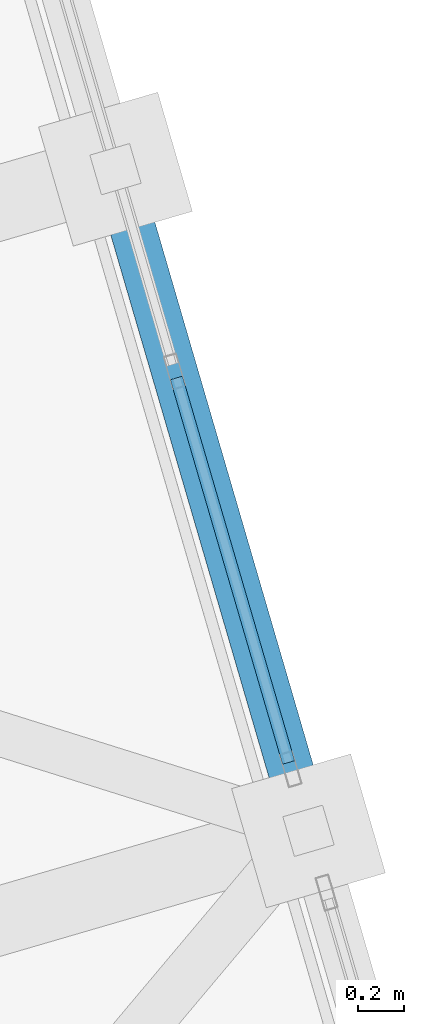
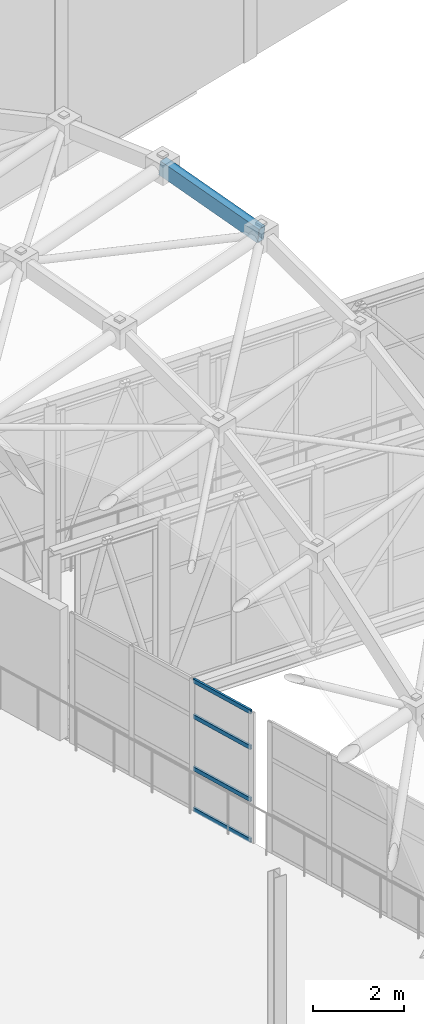
# One storey, part 85 of 248: 4 members, 1 beam, 1 element without a shape of its own.
"""IFC4 building model written with IfcOpenShell, lengths in metres."""

import ifcopenshell
import ifcopenshell.guid

model = None  # the IFC model being written
_history = None  # IfcOwnerHistory: only IFC2X3 demands one
_inside = {}  # id of a spatial element -> (the spatial element, [elements in it])
_under = {}  # id of a project, library or spatial element -> (it, [spatial elements below it])
_declared = {}  # id of a project -> (the project, [libraries it declares])
_typed = {}  # id of a type object -> (the type object, [elements of that type])
_made_of = {}  # id of a material, layer set ... -> (it, [elements and type objects made of it])


def new_model(schema):
    """Start an empty IFC model of exactly this schema.

    Asked for "IFC4X3", IfcOpenShell would pick the latest addendum, in which some entities
    have other attributes; the version numbers below select the first issue.
    IFC2X3 requires an IfcOwnerHistory on every rooted entity: one is made here for all.
    """
    global model, _history
    if schema == "IFC4X3":
        model = ifcopenshell.file(schema_version=(4, 3, 0, 0))
    else:
        model = ifcopenshell.file(schema=schema)
    _inside.clear()
    _under.clear()
    _declared.clear()
    _typed.clear()
    _made_of.clear()
    _history = None
    if model.schema == "IFC2X3":
        org = make("IfcOrganization", Name="unknown")
        user = make(
            "IfcPersonAndOrganization",
            ThePerson=make("IfcPerson", FamilyName="unknown"),
            TheOrganization=org,
        )
        app = make(
            "IfcApplication",
            ApplicationDeveloper=org,
            Version="unknown",
            ApplicationFullName="unknown",
            ApplicationIdentifier="unknown",
        )
        _history = make(
            "IfcOwnerHistory",
            OwningUser=user,
            OwningApplication=app,
            ChangeAction="ADDED",
            CreationDate=0,
        )
    return model


def make(cls, **values):
    """One entity of the class cls with the attributes given. An attribute that is None is left unset."""
    return model.create_entity(
        cls, **{name: value for name, value in values.items() if value is not None}
    )


def rooted(cls, **values):
    """An entity with a GlobalId (a new one), such as an element, a storey or a relation."""
    return make(cls, GlobalId=ifcopenshell.guid.new(), OwnerHistory=_history, **values)


def si_unit(unit_type, name, prefix=None):
    """IfcSIUnit, for example si_unit("LENGTHUNIT", "METRE", prefix="MILLI")."""
    return make("IfcSIUnit", UnitType=unit_type, Prefix=prefix, Name=name)


def assignment(units):
    """IfcUnitAssignment: the units of a project."""
    return None if units is None else make("IfcUnitAssignment", Units=units)


def point(xyz):
    """IfcCartesianPoint."""
    return None if xyz is None else make("IfcCartesianPoint", Coordinates=xyz)


def direction(xyz):
    """IfcDirection."""
    return None if xyz is None else make("IfcDirection", DirectionRatios=xyz)


def frame(location, z_axis=None, x_axis=None):
    """IfcAxis2Placement3D, a coordinate frame: its origin and axes. An axis left out is left unset."""
    return make(
        "IfcAxis2Placement3D",
        Location=point(location),
        Axis=direction(z_axis),
        RefDirection=direction(x_axis),
    )


def frame_2d(location, x_axis=None):
    """IfcAxis2Placement2D, a coordinate frame in the plane: its origin and x axis."""
    return make(
        "IfcAxis2Placement2D", Location=point(location), RefDirection=direction(x_axis)
    )


def origin():
    """The frame at (0, 0, 0) with its axes left unset."""
    return frame((0.0, 0.0, 0.0))


def origin_2d():
    """The frame at (0, 0) in the plane with its x axis left unset."""
    return frame_2d((0.0, 0.0))


def place(relative_to, where):
    """IfcLocalPlacement: puts the frame where relative to a parent placement (None: the world)."""
    return make(
        "IfcLocalPlacement", PlacementRelTo=relative_to, RelativePlacement=where
    )


def context(
    kind, dimensions, precision=None, world=None, true_north=None, identifier=None
):
    """IfcGeometricRepresentationContext, for example the 3D "Model" context."""
    return make(
        "IfcGeometricRepresentationContext",
        ContextIdentifier=identifier,
        ContextType=kind,
        CoordinateSpaceDimension=dimensions,
        Precision=precision,
        WorldCoordinateSystem=world,
        TrueNorth=true_north,
    )


def subcontext(parent, identifier, kind, view, scale=None):
    """IfcGeometricRepresentationSubContext, for example "Body" below "Model"."""
    return make(
        "IfcGeometricRepresentationSubContext",
        ContextIdentifier=identifier,
        ContextType=kind,
        ParentContext=parent,
        TargetScale=scale,
        TargetView=view,
    )


def project(units=None, contexts=None):
    """IfcProject with its units and contexts."""
    return rooted(
        "IfcProject",
        Name="project",
        RepresentationContexts=contexts,
        UnitsInContext=assignment(units),
    )


def spatial(cls, under=None, at=None, **own):
    """A site, building, storey or space (cls), placed at a placement, below another one or the project."""
    s = rooted(cls, ObjectPlacement=at, **own)
    if under is not None:
        _under.setdefault(under.id(), (under, []))[1].append(s)
    return s


def profile(cls, at=None, kind="AREA", **sizes):
    """A parametric profile (cls). Its sizes go by their IFC names, for example OverallWidth=200.0."""
    return make(cls, ProfileType=kind, Position=at, **sizes)


def hollow_rectangle(**sizes):
    """IfcRectangleHollowProfileDef."""
    return profile("IfcRectangleHollowProfileDef", **sizes)


def extrude(swept, where, along, depth):
    """IfcExtrudedAreaSolid: the profile swept, set in the frame where, extruded along a direction by depth."""
    return make(
        "IfcExtrudedAreaSolid",
        SweptArea=swept,
        Position=where,
        ExtrudedDirection=direction(along),
        Depth=depth,
    )


def shape(context_of_items, identifier, shape_type, items):
    """IfcShapeRepresentation: the items that make up one representation, for example the "Body"."""
    return make(
        "IfcShapeRepresentation",
        ContextOfItems=context_of_items,
        RepresentationIdentifier=identifier,
        RepresentationType=shape_type,
        Items=items,
    )


def material(Name=None, Category=None):
    """IfcMaterial."""
    return make("IfcMaterial", Name=Name, Category=Category)


def layer(
    of_material, thickness, ventilated=None, Name=None, Category=None, Priority=None
):
    """IfcMaterialLayer: one layer of a wall or slab, of a material (None: an air gap)."""
    return make(
        "IfcMaterialLayer",
        Material=of_material,
        LayerThickness=thickness,
        IsVentilated=ventilated,
        Name=Name,
        Category=Category,
        Priority=Priority,
    )


def layer_set(layers, Name=None):
    """IfcMaterialLayerSet."""
    return make("IfcMaterialLayerSet", MaterialLayers=layers, LayerSetName=Name)


def material_profile(
    of_material, cross_section, Name=None, Category=None, Priority=None
):
    """IfcMaterialProfile: a cross section and its material."""
    return make(
        "IfcMaterialProfile",
        Name=Name,
        Material=of_material,
        Profile=cross_section,
        Priority=Priority,
        Category=Category,
    )


def profile_set(profiles, Name=None, composite=None):
    """IfcMaterialProfileSet."""
    return make(
        "IfcMaterialProfileSet",
        Name=Name,
        MaterialProfiles=profiles,
        CompositeProfile=composite,
    )


def made_of(thing, what):
    """Note that an element or type object is made of a material, layer set ...; save() writes the relation."""
    if what is not None:
        _made_of.setdefault(what.id(), (what, []))[1].append(thing)
    return thing


def type_object(cls, material=None, **own):
    """A type object (cls), such as IfcWallType, which elements share."""
    return made_of(rooted(cls, **own), material)


def element(
    cls,
    number,
    at=None,
    inside=None,
    cuts=None,
    type_object=None,
    material=None,
    context=None,
    identifier="Body",
    shape_type=None,
    held_by="IfcProductDefinitionShape",
    body=None,
    shapes=None,
    **own,
):
    """One element of the class cls, such as IfcWall. Its Tag is "e" and its number.

    at: its placement. inside: the storey or other place that contains it. cuts: it is an
    opening in that element (IfcRelVoidsElement). A single representation is given by context,
    identifier, shape_type and body (its items); several are given by shapes. held_by: the class
    of the entity that holds the representations. save() writes the other relations.
    """
    e = rooted(cls, Tag="e%d" % number, ObjectPlacement=at, **own)
    if body is not None:
        shapes = [shape(context, identifier, shape_type, body)]
    if shapes is not None:
        e.Representation = make(held_by, Representations=shapes)
    if inside is not None:
        _inside.setdefault(inside.id(), (inside, []))[1].append(e)
    if cuts is not None:
        rooted(
            "IfcRelVoidsElement", RelatingBuildingElement=cuts, RelatedOpeningElement=e
        )
    if type_object is not None:
        _typed.setdefault(type_object.id(), (type_object, []))[1].append(e)
    return made_of(e, material)


def aggregate(whole, parts):
    """IfcRelAggregates: a whole, such as a stair, and the parts it consists of."""
    return rooted("IfcRelAggregates", RelatingObject=whole, RelatedObjects=parts)


def save(model, path):
    """Write the relations noted so far, then the file.

    IfcRelAggregates (storeys below a building ...), IfcRelContainedInSpatialStructure (elements
    in a storey), IfcRelDefinesByType, IfcRelAssociatesMaterial and IfcRelDeclares: one each for
    every whole, place, type object, material and project.
    """
    for whole, parts in _under.values():
        aggregate(whole, parts)
    for where, things in _inside.values():
        rooted(
            "IfcRelContainedInSpatialStructure",
            RelatedElements=things,
            RelatingStructure=where,
        )
    for kind, things in _typed.values():
        rooted("IfcRelDefinesByType", RelatedObjects=things, RelatingType=kind)
    for what, things in _made_of.values():
        rooted("IfcRelAssociatesMaterial", RelatedObjects=things, RelatingMaterial=what)
    for by, libraries in _declared.values():
        rooted("IfcRelDeclares", RelatingContext=by, RelatedDefinitions=libraries)
    model.write(path)


model = new_model("IFC4")

# Units and contexts
model_context = context("Model", 3, precision=1e-05, world=origin(), true_north=direction((0.0, 1.0)))
body_context = subcontext(model_context, "Body", "Model", "MODEL_VIEW")
ifc_project = project(units=[si_unit("LENGTHUNIT", "METRE"), si_unit("AREAUNIT", "SQUARE_METRE"), si_unit("VOLUMEUNIT", "CUBIC_METRE"), si_unit("PLANEANGLEUNIT", "RADIAN"), si_unit("MASSUNIT", "GRAM", prefix="KILO")], contexts=[model_context])

# Site, building, storey
site_placement = place(None, origin())
site = spatial("IfcSite", under=ifc_project, at=site_placement, CompositionType="ELEMENT")
building_placement = place(site_placement, origin())
building = spatial("IfcBuilding", under=site, at=building_placement, Name="Canggui Botanical Conservatory", CompositionType="ELEMENT")
storey_placement = place(building_placement, frame((0.0, 0.0, 5.39990234375)))
storey = spatial("IfcBuildingStorey", under=building, at=storey_placement, Name="L02", CompositionType="ELEMENT", Elevation=5.39990234375)

# Beam
ifc_material_1 = material(Name="Steel Q355C", Category="steel")
ifc_material_profile_1 = material_profile(ifc_material_1, hollow_rectangle(XDim=0.199951171875, YDim=0.39990234375, WallThickness=0.011962890625, at=origin_2d()), Name="RHS 200x400x12")
ifc_profile_set_1 = profile_set([ifc_material_profile_1], Name="Steel Q355C")
beam_type = type_object("IfcBeamType", Name="BM-GJ04", PredefinedType="BEAM", material=ifc_profile_set_1)
beam_placement = place(storey_placement, frame((68.47998046875, 68.639892578125, 16.416015625), z_axis=(-0.277749375577, 0.952225917953, 0.126968836903), x_axis=(-0.959995442804, -0.2800156242, 0.0)))
element("IfcBeam", 1, at=beam_placement, inside=storey, type_object=beam_type, Name="Conservatory Stepped-Arch Rib GJ-15 Segment 5", PredefinedType="BEAM", context=body_context, shape_type="SweptSolid", body=[
    extrude(hollow_rectangle(XDim=0.199951171875, YDim=0.39990234375, WallThickness=0.011962890625, at=origin_2d()), origin(), (0.0, 0.0, 1.0), 3.024658203125),
])

# Curtain wall, members
ifc_material_2 = material(Name="Thermally Broken Aluminium", Category="aluminium")
ifc_layer = layer(ifc_material_2, 0.14990234375, Name="Thermally Broken Aluminium", Category="aluminium")
ifc_layer_set = layer_set([ifc_layer], Name="Thermally Broken Aluminium")
curtain_wall_type = type_object("IfcCurtainWallType", Name="CW-UNIT-C", PredefinedType="USERDEFINED", material=ifc_layer_set)
curtain_wall_placement = place(storey_placement, origin())
curtain_wall = element("IfcCurtainWall", 2, at=curtain_wall_placement, inside=storey, type_object=curtain_wall_type, Name="Facade Curtain Wall CW-CONS-GABLE-L02-N-03", ObjectType="UNITISED CURTAIN WALL", PredefinedType="USERDEFINED")
ifc_material_profile_2 = material_profile(ifc_material_2, hollow_rectangle(XDim=0.054931640625, YDim=0.110107421875, WallThickness=0.0029296875, at=origin_2d()), Name="CWT 55x110x3")
ifc_profile_set_2 = profile_set([ifc_material_profile_2], Name="Thermally Broken Aluminium")
member_type = type_object("IfcMemberType", Name="CWT-03", PredefinedType="USERDEFINED", material=ifc_profile_set_2)
member_1_placement = place(storey_placement, frame((68.393310546875, 68.9375, 0.027587890625), z_axis=(-0.280080662242, 0.959976469836, 0.0), x_axis=(-0.959976469836, -0.280080662242, 0.0)))
member_1 = element("IfcMember", 3, at=member_1_placement, type_object=member_type, Name="CW-03 transom 1.1", ObjectType="TRANSOM", PredefinedType="USERDEFINED", context=body_context, shape_type="SweptSolid", body=[
    extrude(hollow_rectangle(XDim=0.054931640625, YDim=0.110107421875, WallThickness=0.0029296875, at=origin_2d()), origin(), (0.0, 0.0, 1.0), 1.743408203125),
])
member_2_placement = place(storey_placement, frame((68.393310546875, 68.9375, 1.1201171875), z_axis=(-0.280080662242, 0.959976469836, 0.0), x_axis=(-0.959976469836, -0.280080662242, 0.0)))
member_2 = element("IfcMember", 4, at=member_2_placement, type_object=member_type, Name="CW-03 transom 1.2", ObjectType="TRANSOM", PredefinedType="USERDEFINED", context=body_context, shape_type="SweptSolid", body=[
    extrude(hollow_rectangle(XDim=0.054931640625, YDim=0.110107421875, WallThickness=0.0029296875, at=origin_2d()), origin(), (0.0, 0.0, 1.0), 1.743408203125),
])
member_3_placement = place(storey_placement, frame((68.393310546875, 68.9375, 2.52001953125), z_axis=(-0.280080662242, 0.959976469836, 0.0), x_axis=(-0.959976469836, -0.280080662242, 0.0)))
member_3 = element("IfcMember", 5, at=member_3_placement, type_object=member_type, Name="CW-03 transom 1.3", ObjectType="TRANSOM", PredefinedType="USERDEFINED", context=body_context, shape_type="SweptSolid", body=[
    extrude(hollow_rectangle(XDim=0.054931640625, YDim=0.110107421875, WallThickness=0.0029296875, at=origin_2d()), origin(), (0.0, 0.0, 1.0), 1.743408203125),
])
member_4_placement = place(storey_placement, frame((68.393310546875, 68.9375, 3.47265625), z_axis=(-0.280080662242, 0.959976469836, 0.0), x_axis=(-0.959976469836, -0.280080662242, 0.0)))
member_4 = element("IfcMember", 6, at=member_4_placement, type_object=member_type, Name="CW-03 transom 1.4", ObjectType="TRANSOM", PredefinedType="USERDEFINED", context=body_context, shape_type="SweptSolid", body=[
    extrude(hollow_rectangle(XDim=0.054931640625, YDim=0.110107421875, WallThickness=0.0029296875, at=origin_2d()), origin(), (0.0, 0.0, 1.0), 1.743408203125),
])
aggregate(curtain_wall, [member_1, member_2, member_3, member_4])

save(model, "model.ifc")
